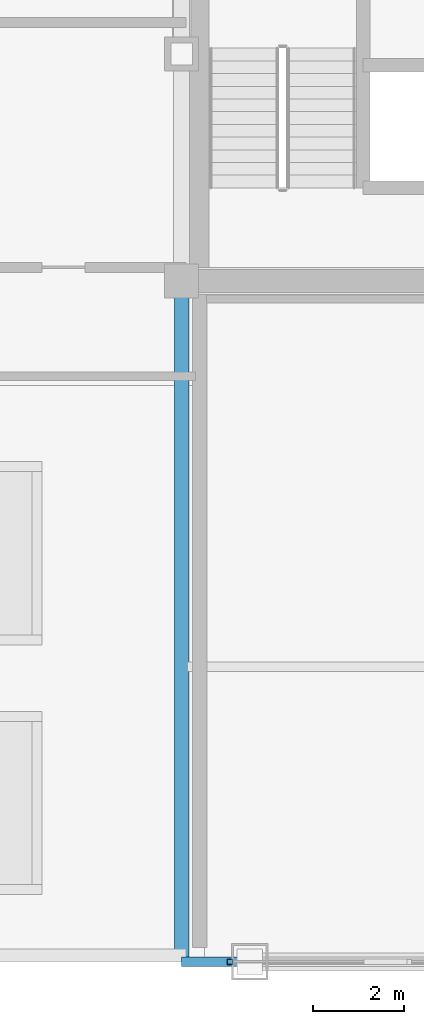
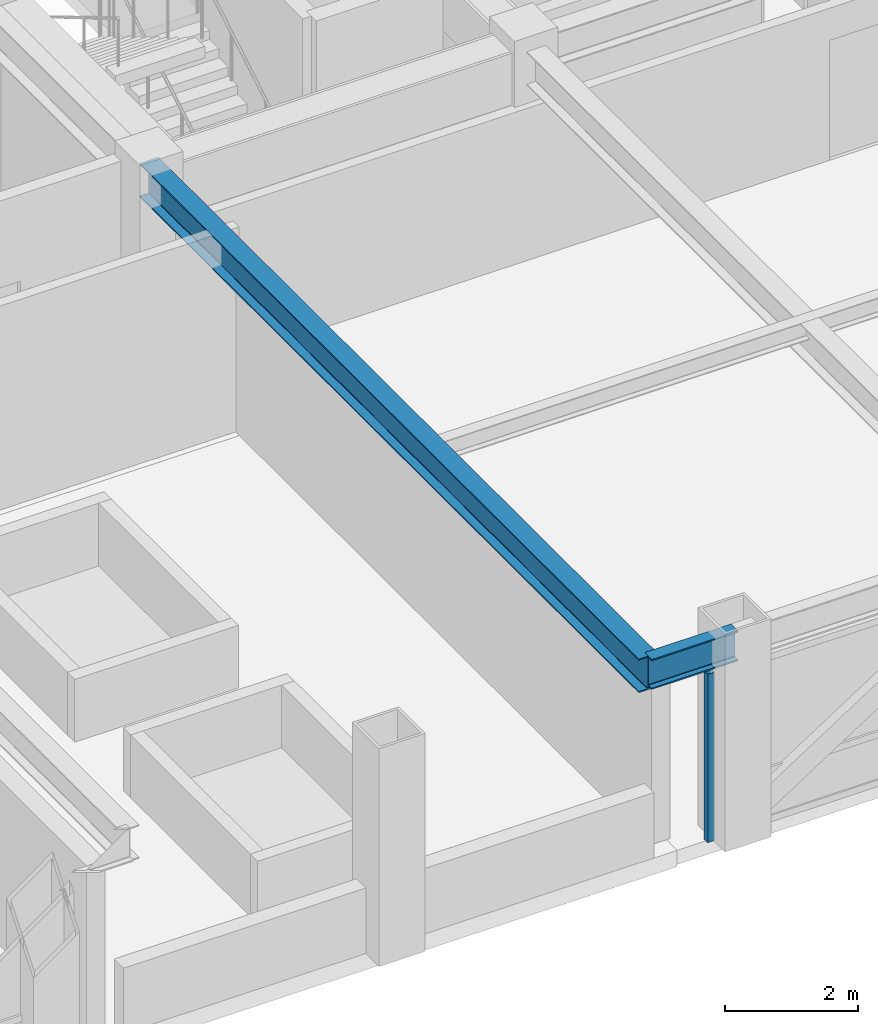
# One storey, part 5 of 29: 2 beams, 1 member, 1 element without a shape of its own.
"""IFC4 building model written with IfcOpenShell, lengths in metres."""

from ifc_helpers import new_model, si_unit, direction, frame, origin, origin_2d, place, context, subcontext, project, spatial, hollow_rectangle, i_section, extrude, source, transform, mapped, material, material_profile, profile_set, type_object, element, aggregate, save


model = new_model("IFC4")

# Units and contexts
model_context = context("Model", 3, precision=1e-05, world=origin(), true_north=direction((0.0, 1.0)))
body_context = subcontext(model_context, "Body", "Model", "MODEL_VIEW")
ifc_project = project(units=[si_unit("LENGTHUNIT", "METRE"), si_unit("AREAUNIT", "SQUARE_METRE"), si_unit("VOLUMEUNIT", "CUBIC_METRE"), si_unit("PLANEANGLEUNIT", "RADIAN"), si_unit("MASSUNIT", "GRAM", prefix="KILO")], contexts=[model_context])

# Site, building, storey
site_placement = place(None, origin())
site = spatial("IfcSite", under=ifc_project, at=site_placement, CompositionType="ELEMENT")
building_placement = place(site_placement, origin())
building = spatial("IfcBuilding", under=site, at=building_placement, Name="Khorayat Bourse Tower", CompositionType="ELEMENT")
storey_placement = place(building_placement, frame((0.0, 0.0, 346.300048828125)))
storey = spatial("IfcBuildingStorey", under=building, at=storey_placement, Name="L82", CompositionType="ELEMENT", Elevation=346.300048828125)

# Beams
ifc_material_1 = material(Name="Steel ASTM A992 Grade 50", Category="steel")
ifc_material_profile_1 = material_profile(ifc_material_1, i_section(OverallWidth=0.324951171875, OverallDepth=0.615966796875, WebThickness=0.013916015625, FlangeThickness=0.021484375, FilletRadius=0.01611328125, at=origin_2d()), Name="W610X174")
ifc_profile_set_1 = profile_set([ifc_material_profile_1], Name="Steel ASTM A992 Grade 50")
beam_type_1 = type_object("IfcBeamType", Name="BM-GIRD-610", PredefinedType="BEAM", material=ifc_profile_set_1)
shared_shape_1 = source(origin(), body_context, "Body", "SweptSolid", [
    extrude(i_section(OverallWidth=0.324951171875, OverallDepth=0.615966796875, WebThickness=0.013916015625, FlangeThickness=0.021484375, FilletRadius=0.01611328125, at=origin_2d()), origin(), (0.0, 0.0, 1.0), 15.0),
])
beam_1_placement = place(storey_placement, frame((4.5, -26.0, 3.431884765625), z_axis=(0.0, 1.0, 0.0), x_axis=(-1.0, 0.0, 0.0)))
element("IfcBeam", 1, at=beam_1_placement, inside=storey, type_object=beam_type_1, Name="L82 BM-GIRD-610 BM-L82-RADY-058", PredefinedType="BEAM", context=body_context, shape_type="MappedRepresentation", body=[
    mapped(shared_shape_1, transform((0.0, 0.0, 0.0), scale=1.0)),
])
ifc_material_profile_2 = material_profile(ifc_material_1, i_section(OverallWidth=0.214111328125, OverallDepth=0.549072265625, WebThickness=0.0146484375, FlangeThickness=0.023681640625, FilletRadius=0.013916015625, at=origin_2d()), Name="W530X138")
ifc_profile_set_2 = profile_set([ifc_material_profile_2], Name="Steel ASTM A992 Grade 50")
beam_type_2 = type_object("IfcBeamType", Name="BM-SPAN-530", PredefinedType="SPANDREL", material=ifc_profile_set_2)
shared_shape_2 = source(origin(), body_context, "Body", "SweptSolid", [
    extrude(i_section(OverallWidth=0.214111328125, OverallDepth=0.549072265625, WebThickness=0.0146484375, FlangeThickness=0.023681640625, FilletRadius=0.013916015625, at=origin_2d()), origin(), (0.0, 0.0, 1.0), 1.5),
])
beam_2_placement = place(storey_placement, frame((4.5, -26.0, 3.46533203125), z_axis=(1.0, 0.0, 0.0), x_axis=(0.0, 1.0, 0.0)))
element("IfcBeam", 2, at=beam_2_placement, inside=storey, type_object=beam_type_2, Name="L82 BM-SPAN-530 BM-L82-SPN-024", PredefinedType="SPANDREL", context=body_context, shape_type="MappedRepresentation", body=[
    mapped(shared_shape_2, transform((0.0, 0.0, 0.0), scale=1.0)),
])

# Curtain wall, member
ifc_material_2 = material(Name="Aluminium EN AW-6063 T6", Category="aluminium")
curtain_wall_type = type_object("IfcCurtainWallType", Name="CW-SYS-06", PredefinedType="NOTDEFINED", material=ifc_material_2)
curtain_wall_placement = place(storey_placement, origin())
curtain_wall = element("IfcCurtainWall", 3, at=curtain_wall_placement, inside=storey, type_object=curtain_wall_type, Name="L82 Curtain Wall CW-L82-S2", PredefinedType="NOTDEFINED")
ifc_material_profile_3 = material_profile(ifc_material_2, hollow_rectangle(XDim=0.1201171875, YDim=0.1201171875, WallThickness=0.0048828125, at=origin_2d()), Name="ALU 120x120x5")
ifc_profile_set_3 = profile_set([ifc_material_profile_3], Name="Aluminium EN AW-6063 T6")
member_type = type_object("IfcMemberType", Name="CWM-VERT-120", PredefinedType="MULLION", material=ifc_profile_set_3)
shared_shape_3 = source(origin(), body_context, "Body", "SweptSolid", [
    extrude(hollow_rectangle(XDim=0.1201171875, YDim=0.1201171875, WallThickness=0.0048828125, at=origin_2d()), origin(), (0.0, 0.0, 1.0), 3.08984375),
])
member_placement = place(storey_placement, frame((5.56005859375, -26.0, 0.0), z_axis=(0.0, 0.0, 1.0), x_axis=(0.0, 1.0, 0.0)))
member = element("IfcMember", 4, at=member_placement, type_object=member_type, Name="CW-L82-S2 Vertical Mullion 1", PredefinedType="MULLION", context=body_context, shape_type="MappedRepresentation", body=[
    mapped(shared_shape_3, transform((0.0, 0.0, 0.0), scale=1.0)),
])
aggregate(curtain_wall, [member])

save(model, "model.ifc")
